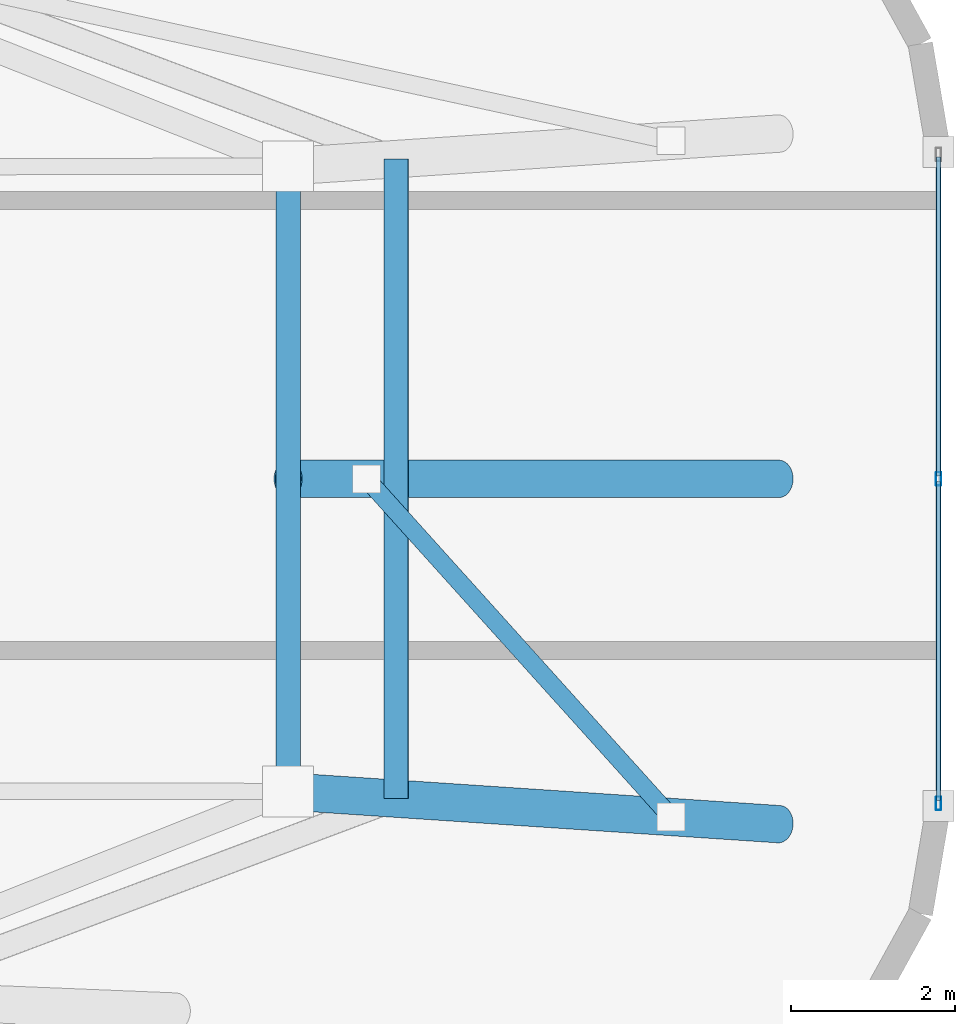
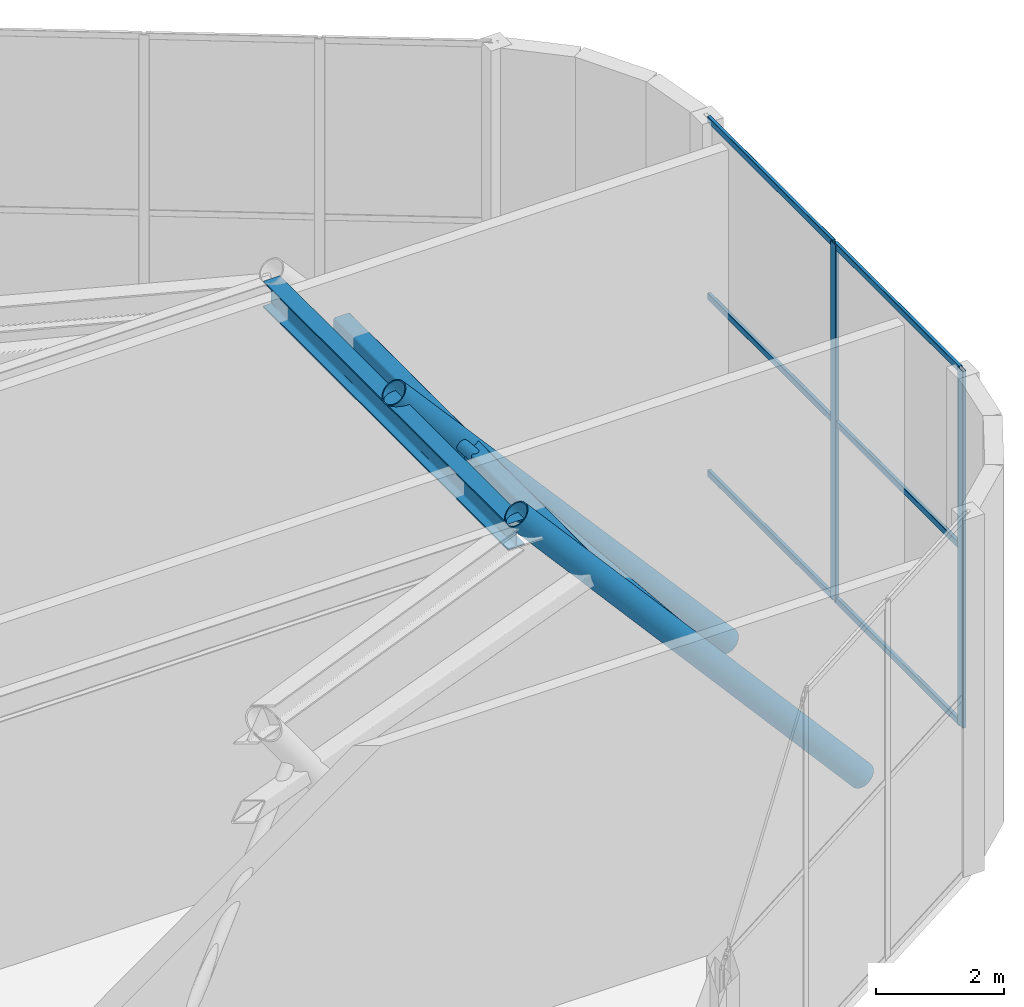
# One storey, part 17 of 24: 12 members, 1 beam, 1 element without a shape of its own.
"""IFC4 building model written with IfcOpenShell, lengths in metres."""

import ifcopenshell
import ifcopenshell.guid

model = None  # the IFC model being written
_history = None  # IfcOwnerHistory: only IFC2X3 demands one
_inside = {}  # id of a spatial element -> (the spatial element, [elements in it])
_under = {}  # id of a project, library or spatial element -> (it, [spatial elements below it])
_declared = {}  # id of a project -> (the project, [libraries it declares])
_typed = {}  # id of a type object -> (the type object, [elements of that type])
_made_of = {}  # id of a material, layer set ... -> (it, [elements and type objects made of it])


def new_model(schema):
    """Start an empty IFC model of exactly this schema.

    Asked for "IFC4X3", IfcOpenShell would pick the latest addendum, in which some entities
    have other attributes; the version numbers below select the first issue.
    IFC2X3 requires an IfcOwnerHistory on every rooted entity: one is made here for all.
    """
    global model, _history
    if schema == "IFC4X3":
        model = ifcopenshell.file(schema_version=(4, 3, 0, 0))
    else:
        model = ifcopenshell.file(schema=schema)
    _inside.clear()
    _under.clear()
    _declared.clear()
    _typed.clear()
    _made_of.clear()
    _history = None
    if model.schema == "IFC2X3":
        org = make("IfcOrganization", Name="unknown")
        user = make(
            "IfcPersonAndOrganization",
            ThePerson=make("IfcPerson", FamilyName="unknown"),
            TheOrganization=org,
        )
        app = make(
            "IfcApplication",
            ApplicationDeveloper=org,
            Version="unknown",
            ApplicationFullName="unknown",
            ApplicationIdentifier="unknown",
        )
        _history = make(
            "IfcOwnerHistory",
            OwningUser=user,
            OwningApplication=app,
            ChangeAction="ADDED",
            CreationDate=0,
        )
    return model


def make(cls, **values):
    """One entity of the class cls with the attributes given. An attribute that is None is left unset."""
    return model.create_entity(
        cls, **{name: value for name, value in values.items() if value is not None}
    )


def rooted(cls, **values):
    """An entity with a GlobalId (a new one), such as an element, a storey or a relation."""
    return make(cls, GlobalId=ifcopenshell.guid.new(), OwnerHistory=_history, **values)


def si_unit(unit_type, name, prefix=None):
    """IfcSIUnit, for example si_unit("LENGTHUNIT", "METRE", prefix="MILLI")."""
    return make("IfcSIUnit", UnitType=unit_type, Prefix=prefix, Name=name)


def assignment(units):
    """IfcUnitAssignment: the units of a project."""
    return None if units is None else make("IfcUnitAssignment", Units=units)


def point(xyz):
    """IfcCartesianPoint."""
    return None if xyz is None else make("IfcCartesianPoint", Coordinates=xyz)


def direction(xyz):
    """IfcDirection."""
    return None if xyz is None else make("IfcDirection", DirectionRatios=xyz)


def frame(location, z_axis=None, x_axis=None):
    """IfcAxis2Placement3D, a coordinate frame: its origin and axes. An axis left out is left unset."""
    return make(
        "IfcAxis2Placement3D",
        Location=point(location),
        Axis=direction(z_axis),
        RefDirection=direction(x_axis),
    )


def frame_2d(location, x_axis=None):
    """IfcAxis2Placement2D, a coordinate frame in the plane: its origin and x axis."""
    return make(
        "IfcAxis2Placement2D", Location=point(location), RefDirection=direction(x_axis)
    )


def origin():
    """The frame at (0, 0, 0) with its axes left unset."""
    return frame((0.0, 0.0, 0.0))


def origin_2d():
    """The frame at (0, 0) in the plane with its x axis left unset."""
    return frame_2d((0.0, 0.0))


def place(relative_to, where):
    """IfcLocalPlacement: puts the frame where relative to a parent placement (None: the world)."""
    return make(
        "IfcLocalPlacement", PlacementRelTo=relative_to, RelativePlacement=where
    )


def context(
    kind, dimensions, precision=None, world=None, true_north=None, identifier=None
):
    """IfcGeometricRepresentationContext, for example the 3D "Model" context."""
    return make(
        "IfcGeometricRepresentationContext",
        ContextIdentifier=identifier,
        ContextType=kind,
        CoordinateSpaceDimension=dimensions,
        Precision=precision,
        WorldCoordinateSystem=world,
        TrueNorth=true_north,
    )


def subcontext(parent, identifier, kind, view, scale=None):
    """IfcGeometricRepresentationSubContext, for example "Body" below "Model"."""
    return make(
        "IfcGeometricRepresentationSubContext",
        ContextIdentifier=identifier,
        ContextType=kind,
        ParentContext=parent,
        TargetScale=scale,
        TargetView=view,
    )


def project(units=None, contexts=None):
    """IfcProject with its units and contexts."""
    return rooted(
        "IfcProject",
        Name="project",
        RepresentationContexts=contexts,
        UnitsInContext=assignment(units),
    )


def spatial(cls, under=None, at=None, **own):
    """A site, building, storey or space (cls), placed at a placement, below another one or the project."""
    s = rooted(cls, ObjectPlacement=at, **own)
    if under is not None:
        _under.setdefault(under.id(), (under, []))[1].append(s)
    return s


def profile(cls, at=None, kind="AREA", **sizes):
    """A parametric profile (cls). Its sizes go by their IFC names, for example OverallWidth=200.0."""
    return make(cls, ProfileType=kind, Position=at, **sizes)


def hollow_rectangle(**sizes):
    """IfcRectangleHollowProfileDef."""
    return profile("IfcRectangleHollowProfileDef", **sizes)


def hollow_circle(**sizes):
    """IfcCircleHollowProfileDef."""
    return profile("IfcCircleHollowProfileDef", **sizes)


def i_section(**sizes):
    """IfcIShapeProfileDef."""
    return profile("IfcIShapeProfileDef", **sizes)


def extrude(swept, where, along, depth):
    """IfcExtrudedAreaSolid: the profile swept, set in the frame where, extruded along a direction by depth."""
    return make(
        "IfcExtrudedAreaSolid",
        SweptArea=swept,
        Position=where,
        ExtrudedDirection=direction(along),
        Depth=depth,
    )


def shape(context_of_items, identifier, shape_type, items):
    """IfcShapeRepresentation: the items that make up one representation, for example the "Body"."""
    return make(
        "IfcShapeRepresentation",
        ContextOfItems=context_of_items,
        RepresentationIdentifier=identifier,
        RepresentationType=shape_type,
        Items=items,
    )


def material(Name=None, Category=None):
    """IfcMaterial."""
    return make("IfcMaterial", Name=Name, Category=Category)


def layer(
    of_material, thickness, ventilated=None, Name=None, Category=None, Priority=None
):
    """IfcMaterialLayer: one layer of a wall or slab, of a material (None: an air gap)."""
    return make(
        "IfcMaterialLayer",
        Material=of_material,
        LayerThickness=thickness,
        IsVentilated=ventilated,
        Name=Name,
        Category=Category,
        Priority=Priority,
    )


def layer_set(layers, Name=None):
    """IfcMaterialLayerSet."""
    return make("IfcMaterialLayerSet", MaterialLayers=layers, LayerSetName=Name)


def material_profile(
    of_material, cross_section, Name=None, Category=None, Priority=None
):
    """IfcMaterialProfile: a cross section and its material."""
    return make(
        "IfcMaterialProfile",
        Name=Name,
        Material=of_material,
        Profile=cross_section,
        Priority=Priority,
        Category=Category,
    )


def profile_set(profiles, Name=None, composite=None):
    """IfcMaterialProfileSet."""
    return make(
        "IfcMaterialProfileSet",
        Name=Name,
        MaterialProfiles=profiles,
        CompositeProfile=composite,
    )


def made_of(thing, what):
    """Note that an element or type object is made of a material, layer set ...; save() writes the relation."""
    if what is not None:
        _made_of.setdefault(what.id(), (what, []))[1].append(thing)
    return thing


def type_object(cls, material=None, **own):
    """A type object (cls), such as IfcWallType, which elements share."""
    return made_of(rooted(cls, **own), material)


def element(
    cls,
    number,
    at=None,
    inside=None,
    cuts=None,
    type_object=None,
    material=None,
    context=None,
    identifier="Body",
    shape_type=None,
    held_by="IfcProductDefinitionShape",
    body=None,
    shapes=None,
    **own,
):
    """One element of the class cls, such as IfcWall. Its Tag is "e" and its number.

    at: its placement. inside: the storey or other place that contains it. cuts: it is an
    opening in that element (IfcRelVoidsElement). A single representation is given by context,
    identifier, shape_type and body (its items); several are given by shapes. held_by: the class
    of the entity that holds the representations. save() writes the other relations.
    """
    e = rooted(cls, Tag="e%d" % number, ObjectPlacement=at, **own)
    if body is not None:
        shapes = [shape(context, identifier, shape_type, body)]
    if shapes is not None:
        e.Representation = make(held_by, Representations=shapes)
    if inside is not None:
        _inside.setdefault(inside.id(), (inside, []))[1].append(e)
    if cuts is not None:
        rooted(
            "IfcRelVoidsElement", RelatingBuildingElement=cuts, RelatedOpeningElement=e
        )
    if type_object is not None:
        _typed.setdefault(type_object.id(), (type_object, []))[1].append(e)
    return made_of(e, material)


def aggregate(whole, parts):
    """IfcRelAggregates: a whole, such as a stair, and the parts it consists of."""
    return rooted("IfcRelAggregates", RelatingObject=whole, RelatedObjects=parts)


def save(model, path):
    """Write the relations noted so far, then the file.

    IfcRelAggregates (storeys below a building ...), IfcRelContainedInSpatialStructure (elements
    in a storey), IfcRelDefinesByType, IfcRelAssociatesMaterial and IfcRelDeclares: one each for
    every whole, place, type object, material and project.
    """
    for whole, parts in _under.values():
        aggregate(whole, parts)
    for where, things in _inside.values():
        rooted(
            "IfcRelContainedInSpatialStructure",
            RelatedElements=things,
            RelatingStructure=where,
        )
    for kind, things in _typed.values():
        rooted("IfcRelDefinesByType", RelatedObjects=things, RelatingType=kind)
    for what, things in _made_of.values():
        rooted("IfcRelAssociatesMaterial", RelatedObjects=things, RelatingMaterial=what)
    for by, libraries in _declared.values():
        rooted("IfcRelDeclares", RelatingContext=by, RelatedDefinitions=libraries)
    model.write(path)


model = new_model("IFC4")

# Units and contexts
model_context = context("Model", 3, precision=1e-05, world=origin(), true_north=direction((0.0, 1.0)))
body_context = subcontext(model_context, "Body", "Model", "MODEL_VIEW")
ifc_project = project(units=[si_unit("LENGTHUNIT", "METRE"), si_unit("AREAUNIT", "SQUARE_METRE"), si_unit("VOLUMEUNIT", "CUBIC_METRE"), si_unit("PLANEANGLEUNIT", "RADIAN"), si_unit("MASSUNIT", "GRAM", prefix="KILO")], contexts=[model_context])

# Site, building, storey
site_placement = place(None, origin())
site = spatial("IfcSite", under=ifc_project, at=site_placement, CompositionType="ELEMENT")
building_placement = place(site_placement, origin())
building = spatial("IfcBuilding", under=site, at=building_placement, Name="An Khanh Terracotta Commons", CompositionType="ELEMENT")
storey_placement = place(building_placement, frame((0.0, 0.0, 315.199951171875)))
storey = spatial("IfcBuildingStorey", under=building, at=storey_placement, Name="L80 Crown Cooling Plant", CompositionType="ELEMENT", Elevation=315.199951171875)

# Beam
ifc_material_1 = material(Name="Steel S355J2", Category="steel")
ifc_material_profile_1 = material_profile(ifc_material_1, i_section(OverallWidth=0.300048828125, OverallDepth=0.5, WebThickness=0.014404296875, FlangeThickness=0.028076171875, FilletRadius=0.027099609375, at=origin_2d()), Name="HEB500")
ifc_profile_set_1 = profile_set([ifc_material_profile_1], Name="Steel S355J2")
beam_type = type_object("IfcBeamType", Name="BM-HEB500", PredefinedType="BEAM", material=ifc_profile_set_1)
beam_placement = place(storey_placement, frame((56.85009765625, 20.179931640625, 6.330078125), z_axis=(0.0, 1.0, 0.0), x_axis=(-1.0, 0.0, 0.0)))
element("IfcBeam", 1, at=beam_placement, inside=storey, type_object=beam_type, Name="L80 Crown Cooling Plant CROWN FRAME Ring Beam 3", PredefinedType="BEAM", context=body_context, shape_type="SweptSolid", body=[
    extrude(i_section(OverallWidth=0.300048828125, OverallDepth=0.5, WebThickness=0.014404296875, FlangeThickness=0.028076171875, FilletRadius=0.027099609375, at=origin_2d()), origin(), (0.0, 0.0, 1.0), 7.64013671875),
])

# Members
ifc_material_2 = material(Name="Steel S460ML", Category="steel")
ifc_material_profile_2 = material_profile(ifc_material_2, hollow_circle(Radius=0.109619140625, WallThickness=0.010009765625, at=origin_2d()), Name="CHS219.1x10")
ifc_profile_set_2 = profile_set([ifc_material_profile_2], Name="Steel S460ML")
member_type_1 = type_object("IfcMemberType", Name="CROWN FRAME BRACE CHS219", PredefinedType="BRACE", material=ifc_profile_set_2)
member_1_placement = place(storey_placement, frame((61.530029296875, 19.867919921875, 1.385009765625), z_axis=(-0.531978000959, 0.590912099903, 0.606483550217), x_axis=(-0.743195884043, -0.669073895726, 0.0)))
element("IfcMember", 2, at=member_1_placement, inside=storey, type_object=member_type_1, Name="L80 Crown Cooling Plant CROWN FRAME Wind Diagonal 3", PredefinedType="BRACE", context=body_context, shape_type="SweptSolid", body=[
    extrude(hollow_circle(Radius=0.109619140625, WallThickness=0.010009765625, at=origin_2d()), origin(), (0.0, 0.0, 1.0), 6.99267578125),
])
ifc_material_profile_3 = material_profile(ifc_material_2, hollow_circle(Radius=0.228515625, WallThickness=0.02001953125, at=origin_2d()), Name="CHS457x20")
ifc_profile_set_3 = profile_set([ifc_material_profile_3], Name="Steel S460ML")
member_type_2 = type_object("IfcMemberType", Name="CROWN FRAME RIB CHS457", PredefinedType="STRUT", material=ifc_profile_set_3)
member_2_placement = place(storey_placement, frame((62.85009765625, 19.780029296875, -0.119873046875), z_axis=(-0.658810290641, 0.043909963219, 0.751026574813), x_axis=(-0.066502842363, -0.997786235602, 0.0)))
element("IfcMember", 3, at=member_2_placement, inside=storey, type_object=member_type_2, Name="L80 Crown Cooling Plant CROWN FRAME Corner Raking Rib 3", PredefinedType="STRUT", context=body_context, shape_type="SweptSolid", body=[
    extrude(hollow_circle(Radius=0.228515625, WallThickness=0.02001953125, at=origin_2d()), origin(), (0.0, 0.0, 1.0), 9.107421875),
])
member_3_placement = place(storey_placement, frame((62.85009765625, 24.0, -0.119873046875), z_axis=(-0.659446331622, 0.0, 0.751751644967), x_axis=(0.0, -1.0, 0.0)))
element("IfcMember", 4, at=member_3_placement, inside=storey, type_object=member_type_2, Name="L80 Crown Cooling Plant CROWN FRAME Facet Strut 3", PredefinedType="STRUT", context=body_context, shape_type="SweptSolid", body=[
    extrude(hollow_circle(Radius=0.228515625, WallThickness=0.02001953125, at=origin_2d()), origin(), (0.0, 0.0, 1.0), 9.0986328125),
])
ifc_material_profile_4 = material_profile(ifc_material_2, hollow_rectangle(XDim=0.300048828125, YDim=0.300048828125, WallThickness=0.01611328125, InnerFilletRadius=0.01611328125, OuterFilletRadius=0.031982421875, at=origin_2d()), Name="SHS300x300x16")
ifc_profile_set_4 = profile_set([ifc_material_profile_4], Name="Steel S460ML")
member_type_3 = type_object("IfcMemberType", Name="CROWN FRAME RING SHS300", PredefinedType="CHORD", material=ifc_profile_set_4)
member_4_placement = place(storey_placement, frame((58.169921875, 20.092041015625, 5.215087890625), z_axis=(0.0, 1.0, 0.0), x_axis=(-1.0, 0.0, 0.0)))
element("IfcMember", 5, at=member_4_placement, inside=storey, type_object=member_type_3, Name="L80 Crown Cooling Plant CROWN FRAME Sill Ring Chord 3", PredefinedType="CHORD", context=body_context, shape_type="SweptSolid", body=[
    extrude(hollow_rectangle(XDim=0.300048828125, YDim=0.300048828125, WallThickness=0.01611328125, InnerFilletRadius=0.01611328125, OuterFilletRadius=0.031982421875, at=origin_2d()), origin(), (0.0, 0.0, 1.0), 7.81591796875),
])

# Curtain wall, members
ifc_material_3 = material(Name="Anodised Aluminium 6063-T6", Category="aluminium")
ifc_layer = layer(ifc_material_3, 0.18994140625, Name="Anodised Aluminium 6063-T6")
ifc_layer_set = layer_set([ifc_layer], Name="Anodised Aluminium 6063-T6")
curtain_wall_type = type_object("IfcCurtainWallType", Name="CW-SYS-06", PredefinedType="USERDEFINED", material=ifc_layer_set)
curtain_wall_placement = place(storey_placement, origin())
curtain_wall = element("IfcCurtainWall", 6, at=curtain_wall_placement, inside=storey, type_object=curtain_wall_type, Name="L80 Crown Cooling Plant CW-06 Unitised Curtain Wall CW-L80-12", ObjectType="UNITISED CURTAIN WALL", PredefinedType="USERDEFINED")
ifc_material_profile_5 = material_profile(ifc_material_3, hollow_rectangle(XDim=0.06494140625, YDim=0.1650390625, WallThickness=0.00390625, InnerFilletRadius=0.00390625, OuterFilletRadius=0.008056640625, at=origin_2d()), Name="RHS165x65x4")
ifc_profile_set_5 = profile_set([ifc_material_profile_5], Name="Anodised Aluminium 6063-T6")
member_type_4 = type_object("IfcMemberType", Name="CWM-RHS165x65x4", PredefinedType="MULLION", material=ifc_profile_set_5)
member_5_placement = place(storey_placement, frame((64.800048828125, 20.035400390625, 0.0), z_axis=(0.0, 0.0, 1.0), x_axis=(-1.0, 0.0, 0.0)))
member_5 = element("IfcMember", 7, at=member_5_placement, type_object=member_type_4, Name="CW-06 mullion 1", PredefinedType="MULLION", context=body_context, shape_type="SweptSolid", body=[
    extrude(hollow_rectangle(XDim=0.06494140625, YDim=0.1650390625, WallThickness=0.00390625, InnerFilletRadius=0.00390625, OuterFilletRadius=0.008056640625, at=origin_2d()), origin(), (0.0, 0.0, 1.0), 6.800048828125),
])
member_6_placement = place(storey_placement, frame((64.800048828125, 24.0, 0.0), z_axis=(0.0, 0.0, 1.0), x_axis=(-1.0, 0.0, 0.0)))
member_6 = element("IfcMember", 8, at=member_6_placement, type_object=member_type_4, Name="CW-06 mullion 2", PredefinedType="MULLION", context=body_context, shape_type="SweptSolid", body=[
    extrude(hollow_rectangle(XDim=0.06494140625, YDim=0.1650390625, WallThickness=0.00390625, InnerFilletRadius=0.00390625, OuterFilletRadius=0.008056640625, at=origin_2d()), origin(), (0.0, 0.0, 1.0), 6.800048828125),
])
ifc_material_profile_6 = material_profile(ifc_material_3, hollow_rectangle(XDim=0.06005859375, YDim=0.1201171875, WallThickness=0.003662109375, InnerFilletRadius=0.003662109375, OuterFilletRadius=0.007080078125, at=origin_2d()), Name="RHS120x60x3.6")
ifc_profile_set_6 = profile_set([ifc_material_profile_6], Name="Anodised Aluminium 6063-T6")
member_type_5 = type_object("IfcMemberType", Name="CWT-RHS120x60x3.6", PredefinedType="USERDEFINED", material=ifc_profile_set_6)
member_7_placement = place(storey_placement, frame((64.800048828125, 20.068115234375, 0.030029296875), z_axis=(0.0, 1.0, 0.0), x_axis=(-1.0, 0.0, 0.0)))
member_7 = element("IfcMember", 9, at=member_7_placement, type_object=member_type_5, Name="CW-06 transom 1.1", ObjectType="TRANSOM", PredefinedType="USERDEFINED", context=body_context, shape_type="SweptSolid", body=[
    extrude(hollow_rectangle(XDim=0.06005859375, YDim=0.1201171875, WallThickness=0.003662109375, InnerFilletRadius=0.003662109375, OuterFilletRadius=0.007080078125, at=origin_2d()), origin(), (0.0, 0.0, 1.0), 3.8994140625),
])
member_8_placement = place(storey_placement, frame((64.800048828125, 20.068115234375, 3.400146484375), z_axis=(0.0, 1.0, 0.0), x_axis=(-1.0, 0.0, 0.0)))
member_8 = element("IfcMember", 10, at=member_8_placement, type_object=member_type_5, Name="CW-06 transom 1.2", ObjectType="TRANSOM", PredefinedType="USERDEFINED", context=body_context, shape_type="SweptSolid", body=[
    extrude(hollow_rectangle(XDim=0.06005859375, YDim=0.1201171875, WallThickness=0.003662109375, InnerFilletRadius=0.003662109375, OuterFilletRadius=0.007080078125, at=origin_2d()), origin(), (0.0, 0.0, 1.0), 3.8994140625),
])
member_9_placement = place(storey_placement, frame((64.800048828125, 20.068115234375, 6.77001953125), z_axis=(0.0, 1.0, 0.0), x_axis=(-1.0, 0.0, 0.0)))
member_9 = element("IfcMember", 11, at=member_9_placement, type_object=member_type_5, Name="CW-06 transom 1.3", ObjectType="TRANSOM", PredefinedType="USERDEFINED", context=body_context, shape_type="SweptSolid", body=[
    extrude(hollow_rectangle(XDim=0.06005859375, YDim=0.1201171875, WallThickness=0.003662109375, InnerFilletRadius=0.003662109375, OuterFilletRadius=0.007080078125, at=origin_2d()), origin(), (0.0, 0.0, 1.0), 3.8994140625),
])
member_10_placement = place(storey_placement, frame((64.800048828125, 24.032470703125, 0.030029296875), z_axis=(0.0, 1.0, 0.0), x_axis=(-1.0, 0.0, 0.0)))
member_10 = element("IfcMember", 12, at=member_10_placement, type_object=member_type_5, Name="CW-06 transom 2.1", ObjectType="TRANSOM", PredefinedType="USERDEFINED", context=body_context, shape_type="SweptSolid", body=[
    extrude(hollow_rectangle(XDim=0.06005859375, YDim=0.1201171875, WallThickness=0.003662109375, InnerFilletRadius=0.003662109375, OuterFilletRadius=0.007080078125, at=origin_2d()), origin(), (0.0, 0.0, 1.0), 3.8994140625),
])
member_11_placement = place(storey_placement, frame((64.800048828125, 24.032470703125, 3.400146484375), z_axis=(0.0, 1.0, 0.0), x_axis=(-1.0, 0.0, 0.0)))
member_11 = element("IfcMember", 13, at=member_11_placement, type_object=member_type_5, Name="CW-06 transom 2.2", ObjectType="TRANSOM", PredefinedType="USERDEFINED", context=body_context, shape_type="SweptSolid", body=[
    extrude(hollow_rectangle(XDim=0.06005859375, YDim=0.1201171875, WallThickness=0.003662109375, InnerFilletRadius=0.003662109375, OuterFilletRadius=0.007080078125, at=origin_2d()), origin(), (0.0, 0.0, 1.0), 3.8994140625),
])
member_12_placement = place(storey_placement, frame((64.800048828125, 24.032470703125, 6.77001953125), z_axis=(0.0, 1.0, 0.0), x_axis=(-1.0, 0.0, 0.0)))
member_12 = element("IfcMember", 14, at=member_12_placement, type_object=member_type_5, Name="CW-06 transom 2.3", ObjectType="TRANSOM", PredefinedType="USERDEFINED", context=body_context, shape_type="SweptSolid", body=[
    extrude(hollow_rectangle(XDim=0.06005859375, YDim=0.1201171875, WallThickness=0.003662109375, InnerFilletRadius=0.003662109375, OuterFilletRadius=0.007080078125, at=origin_2d()), origin(), (0.0, 0.0, 1.0), 3.8994140625),
])
aggregate(curtain_wall, [member_5, member_6, member_7, member_8, member_9, member_10, member_11, member_12])

save(model, "model.ifc")
